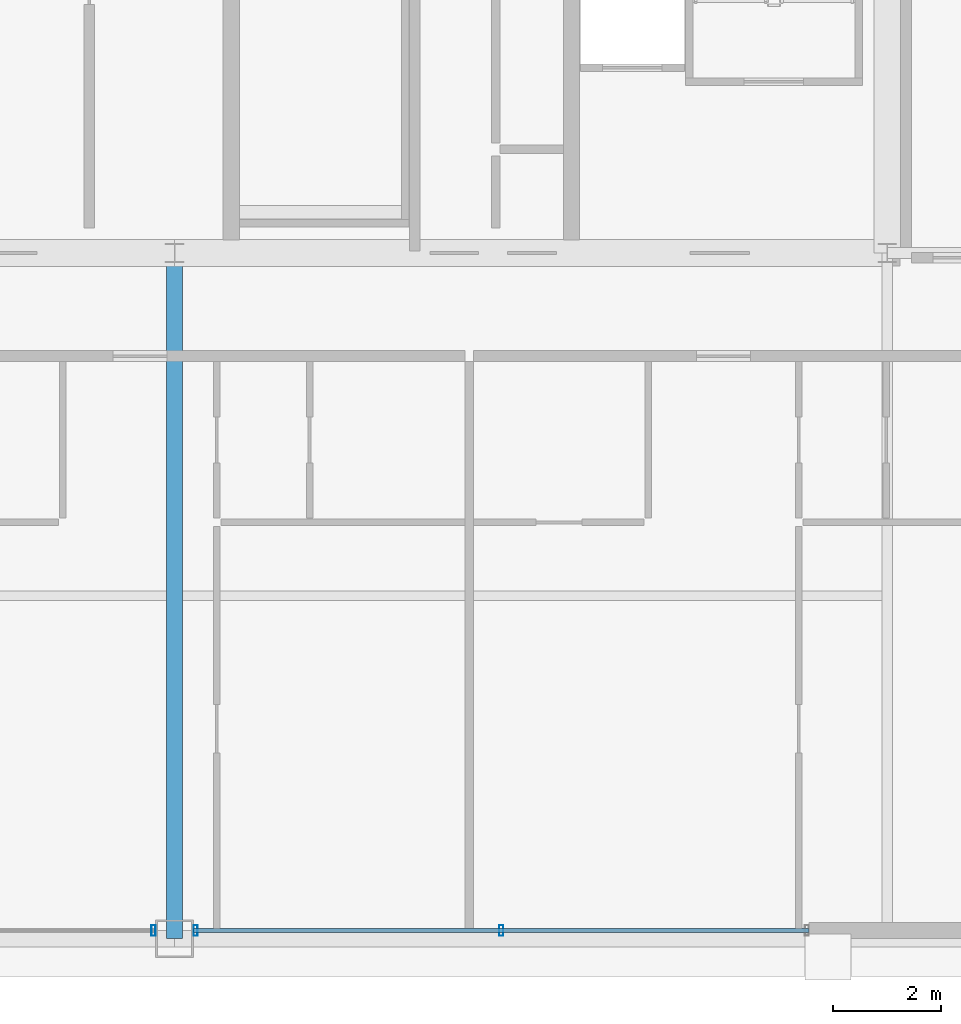
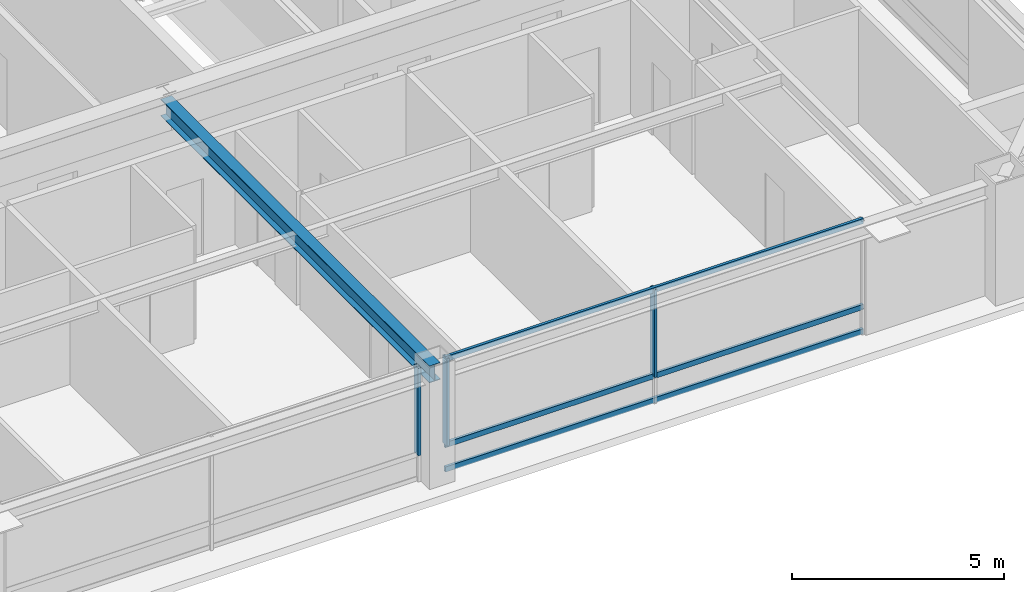
# One storey, part 8 of 35: 6 members, 1 beam, 2 elements without a shape of their own.
"""IFC4 building model written with IfcOpenShell, lengths in metres."""

import ifcopenshell
import ifcopenshell.guid

model = None  # the IFC model being written
_history = None  # IfcOwnerHistory: only IFC2X3 demands one
_inside = {}  # id of a spatial element -> (the spatial element, [elements in it])
_under = {}  # id of a project, library or spatial element -> (it, [spatial elements below it])
_declared = {}  # id of a project -> (the project, [libraries it declares])
_typed = {}  # id of a type object -> (the type object, [elements of that type])
_made_of = {}  # id of a material, layer set ... -> (it, [elements and type objects made of it])


def new_model(schema):
    """Start an empty IFC model of exactly this schema.

    Asked for "IFC4X3", IfcOpenShell would pick the latest addendum, in which some entities
    have other attributes; the version numbers below select the first issue.
    IFC2X3 requires an IfcOwnerHistory on every rooted entity: one is made here for all.
    """
    global model, _history
    if schema == "IFC4X3":
        model = ifcopenshell.file(schema_version=(4, 3, 0, 0))
    else:
        model = ifcopenshell.file(schema=schema)
    _inside.clear()
    _under.clear()
    _declared.clear()
    _typed.clear()
    _made_of.clear()
    _history = None
    if model.schema == "IFC2X3":
        org = make("IfcOrganization", Name="unknown")
        user = make(
            "IfcPersonAndOrganization",
            ThePerson=make("IfcPerson", FamilyName="unknown"),
            TheOrganization=org,
        )
        app = make(
            "IfcApplication",
            ApplicationDeveloper=org,
            Version="unknown",
            ApplicationFullName="unknown",
            ApplicationIdentifier="unknown",
        )
        _history = make(
            "IfcOwnerHistory",
            OwningUser=user,
            OwningApplication=app,
            ChangeAction="ADDED",
            CreationDate=0,
        )
    return model


def make(cls, **values):
    """One entity of the class cls with the attributes given. An attribute that is None is left unset."""
    return model.create_entity(
        cls, **{name: value for name, value in values.items() if value is not None}
    )


def rooted(cls, **values):
    """An entity with a GlobalId (a new one), such as an element, a storey or a relation."""
    return make(cls, GlobalId=ifcopenshell.guid.new(), OwnerHistory=_history, **values)


def si_unit(unit_type, name, prefix=None):
    """IfcSIUnit, for example si_unit("LENGTHUNIT", "METRE", prefix="MILLI")."""
    return make("IfcSIUnit", UnitType=unit_type, Prefix=prefix, Name=name)


def assignment(units):
    """IfcUnitAssignment: the units of a project."""
    return None if units is None else make("IfcUnitAssignment", Units=units)


def point(xyz):
    """IfcCartesianPoint."""
    return None if xyz is None else make("IfcCartesianPoint", Coordinates=xyz)


def direction(xyz):
    """IfcDirection."""
    return None if xyz is None else make("IfcDirection", DirectionRatios=xyz)


def frame(location, z_axis=None, x_axis=None):
    """IfcAxis2Placement3D, a coordinate frame: its origin and axes. An axis left out is left unset."""
    return make(
        "IfcAxis2Placement3D",
        Location=point(location),
        Axis=direction(z_axis),
        RefDirection=direction(x_axis),
    )


def frame_2d(location, x_axis=None):
    """IfcAxis2Placement2D, a coordinate frame in the plane: its origin and x axis."""
    return make(
        "IfcAxis2Placement2D", Location=point(location), RefDirection=direction(x_axis)
    )


def origin():
    """The frame at (0, 0, 0) with its axes left unset."""
    return frame((0.0, 0.0, 0.0))


def origin_2d():
    """The frame at (0, 0) in the plane with its x axis left unset."""
    return frame_2d((0.0, 0.0))


def place(relative_to, where):
    """IfcLocalPlacement: puts the frame where relative to a parent placement (None: the world)."""
    return make(
        "IfcLocalPlacement", PlacementRelTo=relative_to, RelativePlacement=where
    )


def context(
    kind, dimensions, precision=None, world=None, true_north=None, identifier=None
):
    """IfcGeometricRepresentationContext, for example the 3D "Model" context."""
    return make(
        "IfcGeometricRepresentationContext",
        ContextIdentifier=identifier,
        ContextType=kind,
        CoordinateSpaceDimension=dimensions,
        Precision=precision,
        WorldCoordinateSystem=world,
        TrueNorth=true_north,
    )


def subcontext(parent, identifier, kind, view, scale=None):
    """IfcGeometricRepresentationSubContext, for example "Body" below "Model"."""
    return make(
        "IfcGeometricRepresentationSubContext",
        ContextIdentifier=identifier,
        ContextType=kind,
        ParentContext=parent,
        TargetScale=scale,
        TargetView=view,
    )


def project(units=None, contexts=None):
    """IfcProject with its units and contexts."""
    return rooted(
        "IfcProject",
        Name="project",
        RepresentationContexts=contexts,
        UnitsInContext=assignment(units),
    )


def spatial(cls, under=None, at=None, **own):
    """A site, building, storey or space (cls), placed at a placement, below another one or the project."""
    s = rooted(cls, ObjectPlacement=at, **own)
    if under is not None:
        _under.setdefault(under.id(), (under, []))[1].append(s)
    return s


def profile(cls, at=None, kind="AREA", **sizes):
    """A parametric profile (cls). Its sizes go by their IFC names, for example OverallWidth=200.0."""
    return make(cls, ProfileType=kind, Position=at, **sizes)


def hollow_rectangle(**sizes):
    """IfcRectangleHollowProfileDef."""
    return profile("IfcRectangleHollowProfileDef", **sizes)


def i_section(**sizes):
    """IfcIShapeProfileDef."""
    return profile("IfcIShapeProfileDef", **sizes)


def extrude(swept, where, along, depth):
    """IfcExtrudedAreaSolid: the profile swept, set in the frame where, extruded along a direction by depth."""
    return make(
        "IfcExtrudedAreaSolid",
        SweptArea=swept,
        Position=where,
        ExtrudedDirection=direction(along),
        Depth=depth,
    )


def shape(context_of_items, identifier, shape_type, items):
    """IfcShapeRepresentation: the items that make up one representation, for example the "Body"."""
    return make(
        "IfcShapeRepresentation",
        ContextOfItems=context_of_items,
        RepresentationIdentifier=identifier,
        RepresentationType=shape_type,
        Items=items,
    )


def source(mapping_origin, context_of_items, identifier, shape_type, items):
    """IfcRepresentationMap: a shape defined once, which mapped items show again and again."""
    return make(
        "IfcRepresentationMap",
        MappingOrigin=mapping_origin,
        MappedRepresentation=shape(context_of_items, identifier, shape_type, items),
    )


def transform(
    local_origin,
    x_axis=None,
    y_axis=None,
    z_axis=None,
    scale=None,
    scale2=None,
    scale3=None,
    uniform=True,
):
    """IfcCartesianTransformationOperator3D, or its non-uniform kind. x_axis, y_axis, z_axis: its Axis1, 2, 3."""
    if uniform:
        return make(
            "IfcCartesianTransformationOperator3D",
            Axis1=direction(x_axis),
            Axis2=direction(y_axis),
            LocalOrigin=point(local_origin),
            Scale=scale,
            Axis3=direction(z_axis),
        )
    return make(
        "IfcCartesianTransformationOperator3DnonUniform",
        Axis1=direction(x_axis),
        Axis2=direction(y_axis),
        LocalOrigin=point(local_origin),
        Scale=scale,
        Axis3=direction(z_axis),
        Scale2=scale2,
        Scale3=scale3,
    )


def mapped(mapping_source, mapping_target):
    """IfcMappedItem: shows the shape of a source again, moved by a transform."""
    return make(
        "IfcMappedItem", MappingSource=mapping_source, MappingTarget=mapping_target
    )


def material(Name=None, Category=None):
    """IfcMaterial."""
    return make("IfcMaterial", Name=Name, Category=Category)


def layer(
    of_material, thickness, ventilated=None, Name=None, Category=None, Priority=None
):
    """IfcMaterialLayer: one layer of a wall or slab, of a material (None: an air gap)."""
    return make(
        "IfcMaterialLayer",
        Material=of_material,
        LayerThickness=thickness,
        IsVentilated=ventilated,
        Name=Name,
        Category=Category,
        Priority=Priority,
    )


def layer_set(layers, Name=None):
    """IfcMaterialLayerSet."""
    return make("IfcMaterialLayerSet", MaterialLayers=layers, LayerSetName=Name)


def material_profile(
    of_material, cross_section, Name=None, Category=None, Priority=None
):
    """IfcMaterialProfile: a cross section and its material."""
    return make(
        "IfcMaterialProfile",
        Name=Name,
        Material=of_material,
        Profile=cross_section,
        Priority=Priority,
        Category=Category,
    )


def profile_set(profiles, Name=None, composite=None):
    """IfcMaterialProfileSet."""
    return make(
        "IfcMaterialProfileSet",
        Name=Name,
        MaterialProfiles=profiles,
        CompositeProfile=composite,
    )


def made_of(thing, what):
    """Note that an element or type object is made of a material, layer set ...; save() writes the relation."""
    if what is not None:
        _made_of.setdefault(what.id(), (what, []))[1].append(thing)
    return thing


def type_object(cls, material=None, **own):
    """A type object (cls), such as IfcWallType, which elements share."""
    return made_of(rooted(cls, **own), material)


def element(
    cls,
    number,
    at=None,
    inside=None,
    cuts=None,
    type_object=None,
    material=None,
    context=None,
    identifier="Body",
    shape_type=None,
    held_by="IfcProductDefinitionShape",
    body=None,
    shapes=None,
    **own,
):
    """One element of the class cls, such as IfcWall. Its Tag is "e" and its number.

    at: its placement. inside: the storey or other place that contains it. cuts: it is an
    opening in that element (IfcRelVoidsElement). A single representation is given by context,
    identifier, shape_type and body (its items); several are given by shapes. held_by: the class
    of the entity that holds the representations. save() writes the other relations.
    """
    e = rooted(cls, Tag="e%d" % number, ObjectPlacement=at, **own)
    if body is not None:
        shapes = [shape(context, identifier, shape_type, body)]
    if shapes is not None:
        e.Representation = make(held_by, Representations=shapes)
    if inside is not None:
        _inside.setdefault(inside.id(), (inside, []))[1].append(e)
    if cuts is not None:
        rooted(
            "IfcRelVoidsElement", RelatingBuildingElement=cuts, RelatedOpeningElement=e
        )
    if type_object is not None:
        _typed.setdefault(type_object.id(), (type_object, []))[1].append(e)
    return made_of(e, material)


def aggregate(whole, parts):
    """IfcRelAggregates: a whole, such as a stair, and the parts it consists of."""
    return rooted("IfcRelAggregates", RelatingObject=whole, RelatedObjects=parts)


def save(model, path):
    """Write the relations noted so far, then the file.

    IfcRelAggregates (storeys below a building ...), IfcRelContainedInSpatialStructure (elements
    in a storey), IfcRelDefinesByType, IfcRelAssociatesMaterial and IfcRelDeclares: one each for
    every whole, place, type object, material and project.
    """
    for whole, parts in _under.values():
        aggregate(whole, parts)
    for where, things in _inside.values():
        rooted(
            "IfcRelContainedInSpatialStructure",
            RelatedElements=things,
            RelatingStructure=where,
        )
    for kind, things in _typed.values():
        rooted("IfcRelDefinesByType", RelatedObjects=things, RelatingType=kind)
    for what, things in _made_of.values():
        rooted("IfcRelAssociatesMaterial", RelatedObjects=things, RelatingMaterial=what)
    for by, libraries in _declared.values():
        rooted("IfcRelDeclares", RelatingContext=by, RelatedDefinitions=libraries)
    model.write(path)


model = new_model("IFC4")

# Units and contexts
model_context = context("Model", 3, precision=1e-05, world=origin(), true_north=direction((0.0, 1.0)))
body_context = subcontext(model_context, "Body", "Model", "MODEL_VIEW")
ifc_project = project(units=[si_unit("LENGTHUNIT", "METRE"), si_unit("AREAUNIT", "SQUARE_METRE"), si_unit("VOLUMEUNIT", "CUBIC_METRE"), si_unit("PLANEANGLEUNIT", "RADIAN"), si_unit("MASSUNIT", "GRAM", prefix="KILO"), si_unit("THERMODYNAMICTEMPERATUREUNIT", "KELVIN"), si_unit("POWERUNIT", "WATT")], contexts=[model_context])

# Site, building, storey
site_placement = place(None, origin())
site = spatial("IfcSite", under=ifc_project, at=site_placement, CompositionType="ELEMENT")
building_placement = place(site_placement, origin())
building = spatial("IfcBuilding", under=site, at=building_placement, Name="Yuzanri Waterfront Tower", CompositionType="ELEMENT")
storey_placement = place(building_placement, frame((0.0, 0.0, 289.10009765625)))
storey = spatial("IfcBuildingStorey", under=building, at=storey_placement, Name="L77", CompositionType="ELEMENT", Elevation=289.10009765625)

# Beam
ifc_material_1 = material(Name="Steel Q355B", Category="steel")
ifc_material_profile_1 = material_profile(ifc_material_1, i_section(OverallWidth=0.300048828125, OverallDepth=0.488037109375, WebThickness=0.010986328125, FlangeThickness=0.01806640625, at=origin_2d()), Name="HM 488x300x11x18")
ifc_profile_set_1 = profile_set([ifc_material_profile_1], Name="Steel Q355B")
beam_type = type_object("IfcBeamType", Name="Primary Floor Girder Q355B HM 488x300", PredefinedType="BEAM", material=ifc_profile_set_1)
shared_shape_1 = source(origin(), body_context, "Body", "SweptSolid", [
    extrude(i_section(OverallWidth=0.300048828125, OverallDepth=0.488037109375, WebThickness=0.010986328125, FlangeThickness=0.01806640625, at=origin_2d()), origin(), (0.0, 0.0, 1.0), 12.699951171875),
])
beam_placement = place(storey_placement, frame((37.0, 19.39990234375, 3.035888671875), z_axis=(0.0, -1.0, 0.0), x_axis=(1.0, 0.0, 0.0)))
element("IfcBeam", 1, at=beam_placement, inside=storey, type_object=beam_type, Name="L77 South Grid Girder", PredefinedType="BEAM", context=body_context, shape_type="MappedRepresentation", body=[
    mapped(shared_shape_1, transform((0.0, 0.0, 0.0), scale=1.0)),
])

# Curtain wall, member
ifc_material_2 = material(Name="Anodized Architectural Bronze", Category="metal")
ifc_layer = layer(ifc_material_2, 0.159912109375)
ifc_layer_set = layer_set([ifc_layer], Name="Anodized Architectural Bronze")
curtain_wall_type = type_object("IfcCurtainWallType", Name="Anodized Bronze High-Rise Penthouse High-Wind Unitized Curtain Wall 6900", PredefinedType="NOTDEFINED", material=ifc_layer_set)
curtain_wall_1_placement = place(storey_placement, origin())
curtain_wall_1 = element("IfcCurtainWall", 2, at=curtain_wall_1_placement, inside=storey, type_object=curtain_wall_type, Name="L77 Curtain Wall CW-L77-SL", PredefinedType="NOTDEFINED")
ifc_material_3 = material(Name="Anodized Architectural Bronze", Category="metal")
ifc_material_profile_2 = material_profile(ifc_material_3, hollow_rectangle(XDim=0.074951171875, YDim=0.199951171875, WallThickness=0.00390625, at=origin_2d()), Name="CWM 75x200")
ifc_profile_set_2 = profile_set([ifc_material_profile_2], Name="Anodized Architectural Bronze")
member_type_1 = type_object("IfcMemberType", Name="Anodized Bronze Primary Curtain-Wall Mullion 75x200", PredefinedType="MULLION", material=ifc_profile_set_2)
shared_shape_2 = source(origin(), body_context, "Body", "SweptSolid", [
    extrude(hollow_rectangle(XDim=0.074951171875, YDim=0.199951171875, WallThickness=0.00390625, at=origin_2d()), origin(), (0.0, 0.0, 1.0), 2.52392578125),
])
member_1_placement = place(storey_placement, frame((36.610107421875, 6.85009765625, 0.755859375), z_axis=(0.0, 0.0, 1.0), x_axis=(1.0, 0.0, 0.0)))
member_1 = element("IfcMember", 3, at=member_1_placement, type_object=member_type_1, Name="CW-L77-SL Upper Mullion 02", PredefinedType="MULLION", context=body_context, shape_type="MappedRepresentation", body=[
    mapped(shared_shape_2, transform((0.0, 0.0, 0.0), scale=1.0)),
])
aggregate(curtain_wall_1, [member_1])

# Curtain wall, members
curtain_wall_2_placement = place(storey_placement, origin())
curtain_wall_2 = element("IfcCurtainWall", 4, at=curtain_wall_2_placement, inside=storey, type_object=curtain_wall_type, Name="L77 Curtain Wall CW-L77-SR", PredefinedType="NOTDEFINED")
member_2_placement = place(storey_placement, frame((37.389892578125, 6.85009765625, 0.755859375), z_axis=(0.0, 0.0, 1.0), x_axis=(1.0, 0.0, 0.0)))
member_2 = element("IfcMember", 5, at=member_2_placement, type_object=member_type_1, Name="CW-L77-SR Upper Mullion 00", PredefinedType="MULLION", context=body_context, shape_type="MappedRepresentation", body=[
    mapped(shared_shape_2, transform((0.0, 0.0, 0.0), scale=1.0)),
])
member_3_placement = place(storey_placement, frame((43.050048828125, 6.85009765625, 0.755859375), z_axis=(0.0, 0.0, 1.0), x_axis=(1.0, 0.0, 0.0)))
member_3 = element("IfcMember", 6, at=member_3_placement, type_object=member_type_1, Name="CW-L77-SR Upper Mullion 01", PredefinedType="MULLION", context=body_context, shape_type="MappedRepresentation", body=[
    mapped(shared_shape_2, transform((0.0, 0.0, 0.0), scale=1.0)),
])
ifc_material_4 = material(Name="Anodized Architectural Bronze", Category="metal")
ifc_material_profile_3 = material_profile(ifc_material_4, hollow_rectangle(XDim=0.074951171875, YDim=0.14990234375, WallThickness=0.00390625, at=origin_2d()), Name="CWT 75x150")
ifc_profile_set_3 = profile_set([ifc_material_profile_3], Name="Anodized Architectural Bronze")
member_type_2 = type_object("IfcMemberType", Name="Anodized Bronze Primary Curtain-Wall Transom 75x150", PredefinedType="USERDEFINED", material=ifc_profile_set_3)
shared_shape_3 = source(origin(), body_context, "Body", "SweptSolid", [
    extrude(hollow_rectangle(XDim=0.074951171875, YDim=0.14990234375, WallThickness=0.00390625, at=origin_2d()), origin(), (0.0, 0.0, 1.0), 11.39990234375),
])
member_4_placement = place(storey_placement, frame((37.35009765625, 6.85009765625, 0.0498046875), z_axis=(1.0, 0.0, 0.0), x_axis=(0.0, 1.0, 0.0)))
member_4 = element("IfcMember", 7, at=member_4_placement, type_object=member_type_2, Name="CW-L77-SR Transom 1", ObjectType="TRANSOM", PredefinedType="USERDEFINED", context=body_context, shape_type="MappedRepresentation", body=[
    mapped(shared_shape_3, transform((0.0, 0.0, 0.0), scale=1.0)),
])
member_5_placement = place(storey_placement, frame((37.35009765625, 6.85009765625, 0.75390625), z_axis=(1.0, 0.0, 0.0), x_axis=(0.0, 1.0, 0.0)))
member_5 = element("IfcMember", 8, at=member_5_placement, type_object=member_type_2, Name="CW-L77-SR Transom 2", ObjectType="TRANSOM", PredefinedType="USERDEFINED", context=body_context, shape_type="MappedRepresentation", body=[
    mapped(shared_shape_3, transform((0.0, 0.0, 0.0), scale=1.0)),
])
member_6_placement = place(storey_placement, frame((37.35009765625, 6.85009765625, 3.22998046875), z_axis=(1.0, 0.0, 0.0), x_axis=(0.0, 1.0, 0.0)))
member_6 = element("IfcMember", 9, at=member_6_placement, type_object=member_type_2, Name="CW-L77-SR Transom 3", ObjectType="TRANSOM", PredefinedType="USERDEFINED", context=body_context, shape_type="MappedRepresentation", body=[
    mapped(shared_shape_3, transform((0.0, 0.0, 0.0), scale=1.0)),
])
aggregate(curtain_wall_2, [member_2, member_3, member_4, member_5, member_6])

save(model, "model.ifc")
